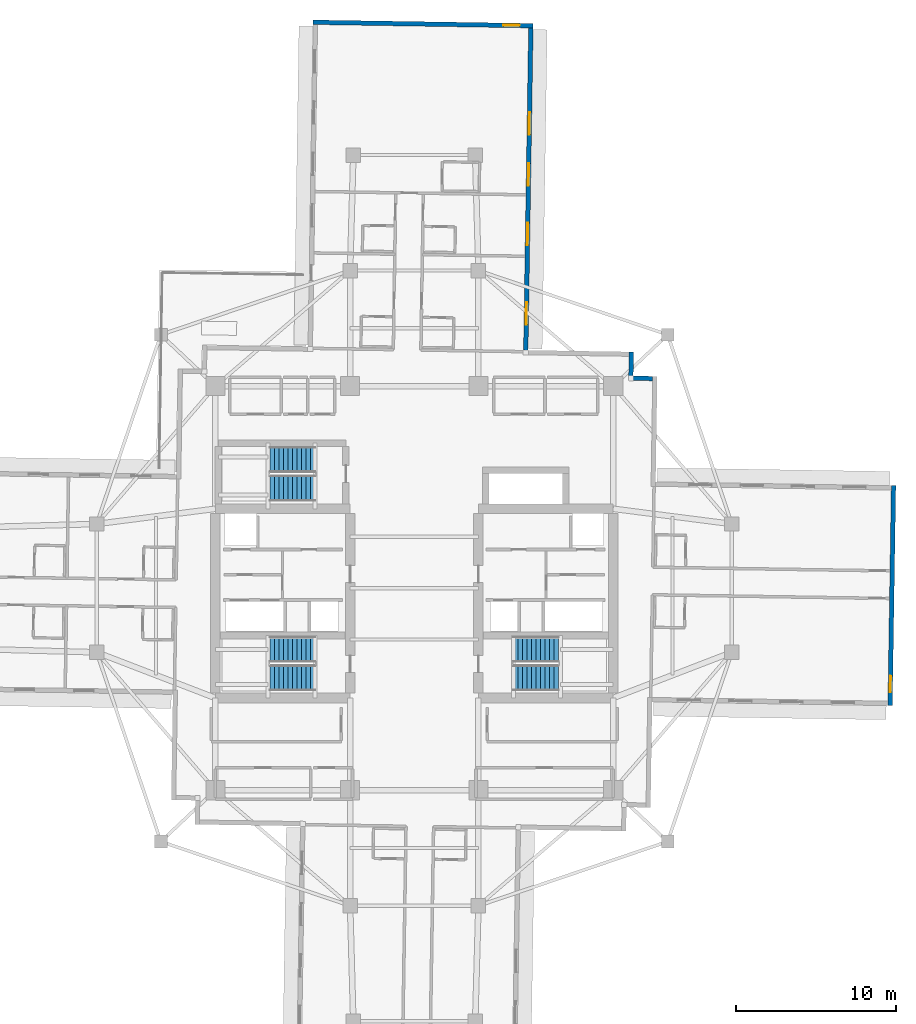
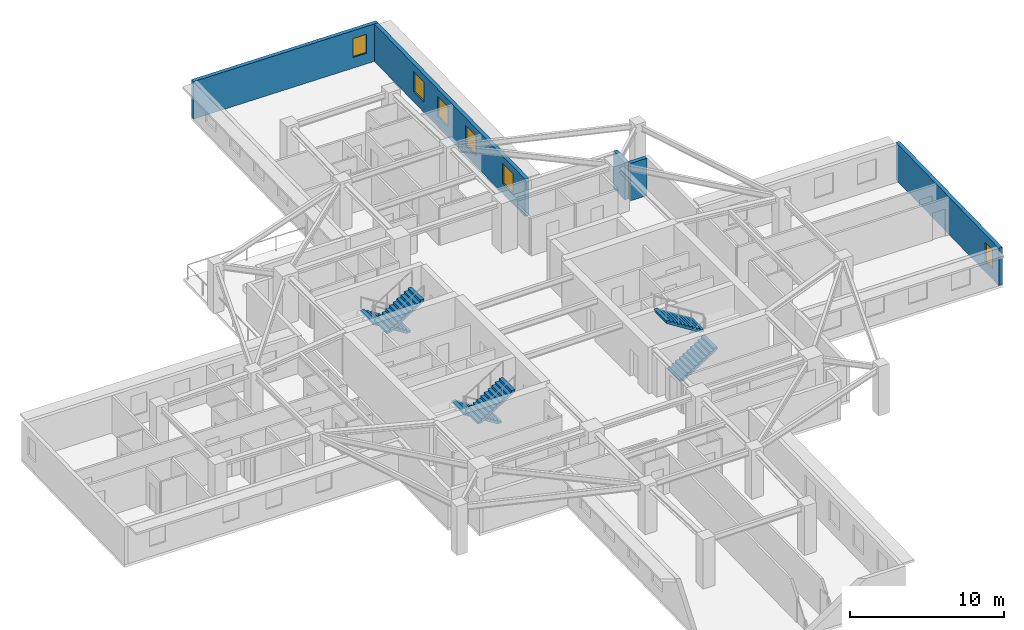
# One storey, part 8 of 13: 6 stair flights, 6 windows, 5 walls, 6 openings, 3 elements without a shape of their own.
"""IFC4 building model written with IfcOpenShell, lengths in metres."""

from ifc_helpers import new_model, si_unit, direction, frame, frame_2d, origin, place, context, subcontext, project, spatial, polyline, rectangle, outline, extrude, material, layer, layer_set, type_object, element, fill, aggregate, save


model = new_model("IFC4")

# Units and contexts
model_context = context("Model", 3, precision=1e-05, world=origin(), true_north=direction((0.0, 1.0)))
body_context = subcontext(model_context, "Body", "Model", "MODEL_VIEW")
ifc_project = project(units=[si_unit("LENGTHUNIT", "METRE"), si_unit("AREAUNIT", "SQUARE_METRE"), si_unit("VOLUMEUNIT", "CUBIC_METRE"), si_unit("PLANEANGLEUNIT", "RADIAN"), si_unit("MASSUNIT", "GRAM", prefix="KILO")], contexts=[model_context])

# Site, building, storey
site_placement = place(None, origin())
site = spatial("IfcSite", under=ifc_project, at=site_placement, CompositionType="ELEMENT")
building_placement = place(site_placement, origin())
building = spatial("IfcBuilding", under=site, at=building_placement, Name="Qingluan Cross Belvedere", CompositionType="ELEMENT")
storey_placement = place(building_placement, frame((0.0, 0.0, 148.800048828125)))
storey = spatial("IfcBuildingStorey", under=building, at=storey_placement, Name="L37", CompositionType="ELEMENT", Elevation=148.800048828125)

# Wall, opening, window
ifc_material_1 = material(Name="Precast concrete C45", Category="concrete")
ifc_layer_1 = layer(ifc_material_1, 0.280029296875, Name="PrecastFacadeWall_280")
ifc_layer_set_1 = layer_set([ifc_layer_1], Name="Precast concrete C45")
wall_type = type_object("IfcWallType", Name="PrecastFacadeWall_280", PredefinedType="STANDARD", material=ifc_layer_set_1)
wall_1_placement = place(storey_placement, frame((29.668701171875, -7.326904296875, 0.0), z_axis=(0.0, 0.0, 1.0), x_axis=(0.015694809807, 0.999876828887, 0.0)))
wall_1 = element("IfcWall", 1, at=wall_1_placement, inside=storey, type_object=wall_type, Name="Arm tip precast facade wall L37-E", PredefinedType="STANDARD", context=body_context, shape_type="SweptSolid", body=[
    extrude(rectangle(XDim=13.719970703125, YDim=0.280029296875, at=frame_2d((6.85986328125, 0.0))), origin(), (0.0, 0.0, 1.0), 2.969970703125),
])
opening_1_placement = place(wall_1_placement, frame((0.85009765625, 0.0, 0.85009765625)))
opening_1 = element("IfcOpeningElement", 2, at=opening_1_placement, cuts=wall_1, Name="Opening W-03", PredefinedType="OPENING", context=body_context, shape_type="SweptSolid", body=[
    extrude(rectangle(XDim=1.0, YDim=1.5, at=frame_2d((0.5, 0.75))), frame((0.0, 0.14990234375, 0.0), z_axis=(0.0, -1.0, 0.0), x_axis=(1.0, 0.0, 0.0)), (0.0, 0.0, 1.0), 0.300048828125),
])
ifc_material_2 = material(Name="Thermally broken triple Low-E glass in aluminium frame", Category="aluminium")
window_type_1 = type_object("IfcWindowType", Name="TriApexWin_1000x1500", PartitioningType="SINGLE_PANEL", PredefinedType="WINDOW", material=ifc_material_2)
window_1_placement = place(opening_1_placement, origin())
window_1 = element("IfcWindow", 3, at=window_1_placement, inside=storey, type_object=window_type_1, Name="Arm tip triangular window L37-E", OverallHeight=1.5, OverallWidth=1.0, PartitioningType="SINGLE_PANEL", PredefinedType="WINDOW", context=body_context, shape_type="SweptSolid", body=[
    extrude(rectangle(XDim=1.0, YDim=1.5, at=frame_2d((0.5, 0.75))), frame((0.0, 0.030029296875, 0.0), z_axis=(0.0, -1.0, 0.0), x_axis=(1.0, 0.0, 0.0)), (0.0, 0.0, 1.0), 0.06005859375),
])
fill(opening_1, window_1)

# Wall, openings, windows
wall_2_placement = place(storey_placement, frame((6.953857421875, 14.83251953125, 0.0), z_axis=(0.0, 0.0, 1.0), x_axis=(0.015705059908, 0.999876667941, 0.0)))
wall_2 = element("IfcWall", 4, at=wall_2_placement, inside=storey, type_object=wall_type, Name="Facade wall L37-NA", PredefinedType="STANDARD", context=body_context, shape_type="SweptSolid", body=[
    extrude(rectangle(XDim=20.10009765625, YDim=0.280029296875, at=frame_2d((10.050048828125, 0.0))), origin(), (0.0, 0.0, 1.0), 2.969970703125),
])
opening_2_placement = place(wall_2_placement, frame((1.60009765625, 0.0, 0.800048828125)))
opening_2 = element("IfcOpeningElement", 5, at=opening_2_placement, cuts=wall_2, Name="Opening W-01", PredefinedType="OPENING", context=body_context, shape_type="SweptSolid", body=[
    extrude(rectangle(XDim=1.39990234375, YDim=1.60009765625, at=frame_2d((0.699951171875, 0.800048828125))), frame((0.0, 0.14990234375, 0.0), z_axis=(0.0, -1.0, 0.0), x_axis=(1.0, 0.0, 0.0)), (0.0, 0.0, 1.0), 0.300048828125),
])
opening_3_placement = place(wall_2_placement, frame((6.550048828125, 0.0, 0.800048828125)))
opening_3 = element("IfcOpeningElement", 6, at=opening_3_placement, cuts=wall_2, Name="Opening W-01", PredefinedType="OPENING", context=body_context, shape_type="SweptSolid", body=[
    extrude(rectangle(XDim=1.39990234375, YDim=1.60009765625, at=frame_2d((0.699951171875, 0.800048828125))), frame((0.0, 0.14990234375, 0.0), z_axis=(0.0, -1.0, 0.0), x_axis=(1.0, 0.0, 0.0)), (0.0, 0.0, 1.0), 0.300048828125),
])
opening_4_placement = place(wall_2_placement, frame((10.25, 0.0, 0.800048828125)))
opening_4 = element("IfcOpeningElement", 7, at=opening_4_placement, cuts=wall_2, Name="Opening W-01", PredefinedType="OPENING", context=body_context, shape_type="SweptSolid", body=[
    extrude(rectangle(XDim=1.39990234375, YDim=1.60009765625, at=frame_2d((0.699951171875, 0.800048828125))), frame((0.0, 0.14990234375, 0.0), z_axis=(0.0, -1.0, 0.0), x_axis=(1.0, 0.0, 0.0)), (0.0, 0.0, 1.0), 0.300048828125),
])
opening_5_placement = place(wall_2_placement, frame((13.449951171875, 0.0, 0.800048828125)))
opening_5 = element("IfcOpeningElement", 8, at=opening_5_placement, cuts=wall_2, Name="Opening W-01", PredefinedType="OPENING", context=body_context, shape_type="SweptSolid", body=[
    extrude(rectangle(XDim=1.39990234375, YDim=1.60009765625, at=frame_2d((0.699951171875, 0.800048828125))), frame((0.0, 0.14990234375, 0.0), z_axis=(0.0, -1.0, 0.0), x_axis=(1.0, 0.0, 0.0)), (0.0, 0.0, 1.0), 0.300048828125),
])
ifc_material_3 = material(Name="Thermally broken triple Low-E glass in aluminium frame", Category="aluminium")
window_type_2 = type_object("IfcWindowType", Name="TriRibbonWin_1400x1600", PartitioningType="SINGLE_PANEL", PredefinedType="WINDOW", material=ifc_material_3)
window_2_placement = place(opening_2_placement, origin())
window_2 = element("IfcWindow", 9, at=window_2_placement, inside=storey, type_object=window_type_2, Name="Ribbon window L37-NA-1", OverallHeight=1.60009765625, OverallWidth=1.39990234375, PartitioningType="SINGLE_PANEL", PredefinedType="WINDOW", context=body_context, shape_type="SweptSolid", body=[
    extrude(rectangle(XDim=1.39990234375, YDim=1.60009765625, at=frame_2d((0.699951171875, 0.800048828125))), frame((0.0, 0.030029296875, 0.0), z_axis=(0.0, -1.0, 0.0), x_axis=(1.0, 0.0, 0.0)), (0.0, 0.0, 1.0), 0.06005859375),
])
fill(opening_2, window_2)
window_3_placement = place(opening_3_placement, origin())
window_3 = element("IfcWindow", 10, at=window_3_placement, inside=storey, type_object=window_type_2, Name="Ribbon window L37-NA-2", OverallHeight=1.60009765625, OverallWidth=1.39990234375, PartitioningType="SINGLE_PANEL", PredefinedType="WINDOW", context=body_context, shape_type="SweptSolid", body=[
    extrude(rectangle(XDim=1.39990234375, YDim=1.60009765625, at=frame_2d((0.699951171875, 0.800048828125))), frame((0.0, 0.030029296875, 0.0), z_axis=(0.0, -1.0, 0.0), x_axis=(1.0, 0.0, 0.0)), (0.0, 0.0, 1.0), 0.06005859375),
])
fill(opening_3, window_3)
window_4_placement = place(opening_4_placement, origin())
window_4 = element("IfcWindow", 11, at=window_4_placement, inside=storey, type_object=window_type_2, Name="Ribbon window L37-NA-3", OverallHeight=1.60009765625, OverallWidth=1.39990234375, PartitioningType="SINGLE_PANEL", PredefinedType="WINDOW", context=body_context, shape_type="SweptSolid", body=[
    extrude(rectangle(XDim=1.39990234375, YDim=1.60009765625, at=frame_2d((0.699951171875, 0.800048828125))), frame((0.0, 0.030029296875, 0.0), z_axis=(0.0, -1.0, 0.0), x_axis=(1.0, 0.0, 0.0)), (0.0, 0.0, 1.0), 0.06005859375),
])
fill(opening_4, window_4)
window_5_placement = place(opening_5_placement, origin())
window_5 = element("IfcWindow", 12, at=window_5_placement, inside=storey, type_object=window_type_2, Name="Ribbon window L37-NA-4", OverallHeight=1.60009765625, OverallWidth=1.39990234375, PartitioningType="SINGLE_PANEL", PredefinedType="WINDOW", context=body_context, shape_type="SweptSolid", body=[
    extrude(rectangle(XDim=1.39990234375, YDim=1.60009765625, at=frame_2d((0.699951171875, 0.800048828125))), frame((0.0, 0.030029296875, 0.0), z_axis=(0.0, -1.0, 0.0), x_axis=(1.0, 0.0, 0.0)), (0.0, 0.0, 1.0), 0.06005859375),
])
fill(opening_5, window_5)

# Wall, opening, window
wall_3_placement = place(storey_placement, frame((7.41162109375, 35.06787109375, 0.0), z_axis=(0.0, 0.0, 1.0), x_axis=(-0.999876549481, 0.015712599986, 0.0)))
wall_3 = element("IfcWall", 13, at=wall_3_placement, inside=storey, type_object=wall_type, Name="Arm tip precast facade wall L37-N", PredefinedType="STANDARD", context=body_context, shape_type="SweptSolid", body=[
    extrude(rectangle(XDim=13.719970703125, YDim=0.280029296875, at=frame_2d((6.85986328125, 0.0))), origin(), (0.0, 0.0, 1.0), 2.969970703125),
])
opening_6_placement = place(wall_3_placement, frame((0.85009765625, 0.0, 0.85009765625)))
opening_6 = element("IfcOpeningElement", 14, at=opening_6_placement, cuts=wall_3, Name="Opening W-03", PredefinedType="OPENING", context=body_context, shape_type="SweptSolid", body=[
    extrude(rectangle(XDim=1.0, YDim=1.5, at=frame_2d((0.5, 0.75))), frame((0.0, 0.14990234375, 0.0), z_axis=(0.0, -1.0, 0.0), x_axis=(1.0, 0.0, 0.0)), (0.0, 0.0, 1.0), 0.300048828125),
])
window_6_placement = place(opening_6_placement, origin())
window_6 = element("IfcWindow", 15, at=window_6_placement, inside=storey, type_object=window_type_1, Name="Arm tip triangular window L37-N", OverallHeight=1.5, OverallWidth=1.0, PartitioningType="SINGLE_PANEL", PredefinedType="WINDOW", context=body_context, shape_type="SweptSolid", body=[
    extrude(rectangle(XDim=1.0, YDim=1.5, at=frame_2d((0.5, 0.75))), frame((0.0, 0.030029296875, 0.0), z_axis=(0.0, -1.0, 0.0), x_axis=(1.0, 0.0, 0.0)), (0.0, 0.0, 1.0), 0.06005859375),
])
fill(opening_6, window_6)

# Walls
wall_4_placement = place(storey_placement, frame((14.8671875, 13.068115234375, 0.0), z_axis=(0.0, 0.0, 1.0), x_axis=(-0.999875053502, 0.015807510352, 0.0)))
element("IfcWall", 16, at=wall_4_placement, inside=storey, type_object=wall_type, Name="Corner wall L37-NE2", PredefinedType="STANDARD", context=body_context, shape_type="SweptSolid", body=[
    extrude(rectangle(XDim=1.22021484375, YDim=0.280029296875, at=frame_2d((0.610107421875, 0.0))), origin(), (0.0, 0.0, 1.0), 2.969970703125),
])
wall_5_placement = place(storey_placement, frame((13.509521484375, 13.2294921875, 0.0), z_axis=(0.0, 0.0, 1.0), x_axis=(0.015625635615, 0.999877912303, 0.0)))
element("IfcWall", 17, at=wall_5_placement, inside=storey, type_object=wall_type, Name="Corner wall L37-NE3", PredefinedType="STANDARD", context=body_context, shape_type="SweptSolid", body=[
    extrude(rectangle(XDim=1.5, YDim=0.280029296875, at=frame_2d((0.75, 0.0))), origin(), (0.0, 0.0, 1.0), 2.969970703125),
])

# Stair, stair flights
ifc_material_4 = material(Name="Concrete C40", Category="concrete")
stair_type = type_object("IfcStairType", Name="CoreDoglegStair_1620", PredefinedType="HALF_TURN_STAIR", material=ifc_material_4)
stair_1_placement = place(storey_placement, origin())
stair_1 = element("IfcStair", 18, at=stair_1_placement, inside=storey, type_object=stair_type, Name="L37 ST1", PredefinedType="HALF_TURN_STAIR")
ifc_material_5 = material(Name="Concrete C40", Category="concrete")
ifc_layer_2 = layer(ifc_material_5, 0.179931640625, Name="StairFlight_RC180")
ifc_layer_set_2 = layer_set([ifc_layer_2], Name="Concrete C40")
stair_flight_type = type_object("IfcStairFlightType", Name="StairFlight_RC180", PredefinedType="STRAIGHT", material=ifc_layer_set_2)
stair_flight_1_placement = place(storey_placement, frame((-6.179931640625, -3.81005859375, 0.0), z_axis=(0.0, 0.0, 1.0), x_axis=(-1.0, 0.0, 0.0)))
stair_flight_1 = element("IfcStairFlight", 19, at=stair_flight_1_placement, type_object=stair_flight_type, Name="ST1 flight 1", NumberOfRisers=11, NumberOfTreads=10, PredefinedType="STRAIGHT", RiserHeight=0.177272727, TreadLength=0.28, context=body_context, shape_type="SweptSolid", body=[
    extrude(outline(polyline([(0.0, 0.0), (0.0, 0.17724609375), (0.280029296875, 0.17724609375), (0.280029296875, 0.3544921875), (0.56005859375, 0.3544921875), (0.56005859375, 0.53173828125), (0.840087890625, 0.53173828125), (0.840087890625, 0.708984375), (1.1201171875, 0.708984375), (1.1201171875, 0.886474609375), (1.39990234375, 0.886474609375), (1.39990234375, 1.063720703125), (1.679931640625, 1.063720703125), (1.679931640625, 1.240966796875), (1.9599609375, 1.240966796875), (1.9599609375, 1.418212890625), (2.239990234375, 1.418212890625), (2.239990234375, 1.595458984375), (2.52001953125, 1.595458984375), (2.52001953125, 1.772705078125), (2.800048828125, 1.772705078125), (2.800048828125, 1.949951171875), (2.800048828125, 1.59521484375), (0.2802734375, 0.0), (0.0, 0.0)])), frame((0.0, 0.81005859375, 0.0), z_axis=(0.0, -1.0, 0.0), x_axis=(1.0, 0.0, 0.0)), (0.0, 0.0, 1.0), 1.6201171875),
])
stair_flight_2_placement = place(storey_placement, frame((-8.97998046875, -5.590087890625, 1.949951171875), z_axis=(0.0, 0.0, 1.0), x_axis=(1.0, 0.0, 0.0)))
stair_flight_2 = element("IfcStairFlight", 20, at=stair_flight_2_placement, type_object=stair_flight_type, Name="ST1 flight 2", NumberOfRisers=11, NumberOfTreads=10, PredefinedType="STRAIGHT", RiserHeight=0.177272727, TreadLength=0.28, context=body_context, shape_type="SweptSolid", body=[
    extrude(outline(polyline([(0.0, 0.0), (0.0, 0.17724609375), (0.280029296875, 0.17724609375), (0.280029296875, 0.3544921875), (0.56005859375, 0.3544921875), (0.56005859375, 0.53173828125), (0.840087890625, 0.53173828125), (0.840087890625, 0.708984375), (1.1201171875, 0.708984375), (1.1201171875, 0.886474609375), (1.39990234375, 0.886474609375), (1.39990234375, 1.063720703125), (1.679931640625, 1.063720703125), (1.679931640625, 1.240966796875), (1.9599609375, 1.240966796875), (1.9599609375, 1.418212890625), (2.239990234375, 1.418212890625), (2.239990234375, 1.595458984375), (2.52001953125, 1.595458984375), (2.52001953125, 1.772705078125), (2.800048828125, 1.772705078125), (2.800048828125, 1.949951171875), (2.800048828125, 1.59521484375), (0.2802734375, 0.0), (0.0, 0.0)])), frame((0.0, 0.81005859375, 0.0), z_axis=(0.0, -1.0, 0.0), x_axis=(1.0, 0.0, 0.0)), (0.0, 0.0, 1.0), 1.6201171875),
])
aggregate(stair_1, [stair_flight_1, stair_flight_2])

stair_2_placement = place(storey_placement, origin())
stair_2 = element("IfcStair", 21, at=stair_2_placement, inside=storey, type_object=stair_type, Name="L37 ST2", PredefinedType="HALF_TURN_STAIR")
stair_flight_3_placement = place(storey_placement, frame((6.179931640625, -5.590087890625, 0.0), z_axis=(0.0, 0.0, 1.0), x_axis=(1.0, 0.0, 0.0)))
stair_flight_3 = element("IfcStairFlight", 22, at=stair_flight_3_placement, type_object=stair_flight_type, Name="ST2 flight 1", NumberOfRisers=11, NumberOfTreads=10, PredefinedType="STRAIGHT", RiserHeight=0.177272727, TreadLength=0.28, context=body_context, shape_type="SweptSolid", body=[
    extrude(outline(polyline([(0.0, 0.0), (0.0, 0.17724609375), (0.280029296875, 0.17724609375), (0.280029296875, 0.3544921875), (0.56005859375, 0.3544921875), (0.56005859375, 0.53173828125), (0.840087890625, 0.53173828125), (0.840087890625, 0.708984375), (1.1201171875, 0.708984375), (1.1201171875, 0.886474609375), (1.39990234375, 0.886474609375), (1.39990234375, 1.063720703125), (1.679931640625, 1.063720703125), (1.679931640625, 1.240966796875), (1.9599609375, 1.240966796875), (1.9599609375, 1.418212890625), (2.239990234375, 1.418212890625), (2.239990234375, 1.595458984375), (2.52001953125, 1.595458984375), (2.52001953125, 1.772705078125), (2.800048828125, 1.772705078125), (2.800048828125, 1.949951171875), (2.800048828125, 1.59521484375), (0.2802734375, 0.0), (0.0, 0.0)])), frame((0.0, 0.81005859375, 0.0), z_axis=(0.0, -1.0, 0.0), x_axis=(1.0, 0.0, 0.0)), (0.0, 0.0, 1.0), 1.6201171875),
])
stair_flight_4_placement = place(storey_placement, frame((8.97998046875, -3.81005859375, 1.949951171875), z_axis=(0.0, 0.0, 1.0), x_axis=(-1.0, 0.0, 0.0)))
stair_flight_4 = element("IfcStairFlight", 23, at=stair_flight_4_placement, type_object=stair_flight_type, Name="ST2 flight 2", NumberOfRisers=11, NumberOfTreads=10, PredefinedType="STRAIGHT", RiserHeight=0.177272727, TreadLength=0.28, context=body_context, shape_type="SweptSolid", body=[
    extrude(outline(polyline([(0.0, 0.0), (0.0, 0.17724609375), (0.280029296875, 0.17724609375), (0.280029296875, 0.3544921875), (0.56005859375, 0.3544921875), (0.56005859375, 0.53173828125), (0.840087890625, 0.53173828125), (0.840087890625, 0.708984375), (1.1201171875, 0.708984375), (1.1201171875, 0.886474609375), (1.39990234375, 0.886474609375), (1.39990234375, 1.063720703125), (1.679931640625, 1.063720703125), (1.679931640625, 1.240966796875), (1.9599609375, 1.240966796875), (1.9599609375, 1.418212890625), (2.239990234375, 1.418212890625), (2.239990234375, 1.595458984375), (2.52001953125, 1.595458984375), (2.52001953125, 1.772705078125), (2.800048828125, 1.772705078125), (2.800048828125, 1.949951171875), (2.800048828125, 1.59521484375), (0.2802734375, 0.0), (0.0, 0.0)])), frame((0.0, 0.81005859375, 0.0), z_axis=(0.0, -1.0, 0.0), x_axis=(1.0, 0.0, 0.0)), (0.0, 0.0, 1.0), 1.6201171875),
])
aggregate(stair_2, [stair_flight_3, stair_flight_4])

stair_3_placement = place(storey_placement, origin())
stair_3 = element("IfcStair", 24, at=stair_3_placement, inside=storey, type_object=stair_type, Name="L37 ST3", PredefinedType="HALF_TURN_STAIR")
stair_flight_5_placement = place(storey_placement, frame((-6.179931640625, 8.010009765625, 0.0), z_axis=(0.0, 0.0, 1.0), x_axis=(-1.0, 0.0, 0.0)))
stair_flight_5 = element("IfcStairFlight", 25, at=stair_flight_5_placement, type_object=stair_flight_type, Name="ST3 flight 1", NumberOfRisers=11, NumberOfTreads=10, PredefinedType="STRAIGHT", RiserHeight=0.177272727, TreadLength=0.28, context=body_context, shape_type="SweptSolid", body=[
    extrude(outline(polyline([(0.0, 0.0), (0.0, 0.17724609375), (0.280029296875, 0.17724609375), (0.280029296875, 0.3544921875), (0.56005859375, 0.3544921875), (0.56005859375, 0.53173828125), (0.840087890625, 0.53173828125), (0.840087890625, 0.708984375), (1.1201171875, 0.708984375), (1.1201171875, 0.886474609375), (1.39990234375, 0.886474609375), (1.39990234375, 1.063720703125), (1.679931640625, 1.063720703125), (1.679931640625, 1.240966796875), (1.9599609375, 1.240966796875), (1.9599609375, 1.418212890625), (2.239990234375, 1.418212890625), (2.239990234375, 1.595458984375), (2.52001953125, 1.595458984375), (2.52001953125, 1.772705078125), (2.800048828125, 1.772705078125), (2.800048828125, 1.949951171875), (2.800048828125, 1.59521484375), (0.2802734375, 0.0), (0.0, 0.0)])), frame((0.0, 0.81005859375, 0.0), z_axis=(0.0, -1.0, 0.0), x_axis=(1.0, 0.0, 0.0)), (0.0, 0.0, 1.0), 1.6201171875),
])
stair_flight_6_placement = place(storey_placement, frame((-8.97998046875, 6.22998046875, 1.949951171875), z_axis=(0.0, 0.0, 1.0), x_axis=(1.0, 0.0, 0.0)))
stair_flight_6 = element("IfcStairFlight", 26, at=stair_flight_6_placement, type_object=stair_flight_type, Name="ST3 flight 2", NumberOfRisers=11, NumberOfTreads=10, PredefinedType="STRAIGHT", RiserHeight=0.177272727, TreadLength=0.28, context=body_context, shape_type="SweptSolid", body=[
    extrude(outline(polyline([(0.0, 0.0), (0.0, 0.17724609375), (0.280029296875, 0.17724609375), (0.280029296875, 0.3544921875), (0.56005859375, 0.3544921875), (0.56005859375, 0.53173828125), (0.840087890625, 0.53173828125), (0.840087890625, 0.708984375), (1.1201171875, 0.708984375), (1.1201171875, 0.886474609375), (1.39990234375, 0.886474609375), (1.39990234375, 1.063720703125), (1.679931640625, 1.063720703125), (1.679931640625, 1.240966796875), (1.9599609375, 1.240966796875), (1.9599609375, 1.418212890625), (2.239990234375, 1.418212890625), (2.239990234375, 1.595458984375), (2.52001953125, 1.595458984375), (2.52001953125, 1.772705078125), (2.800048828125, 1.772705078125), (2.800048828125, 1.949951171875), (2.800048828125, 1.59521484375), (0.2802734375, 0.0), (0.0, 0.0)])), frame((0.0, 0.81005859375, 0.0), z_axis=(0.0, -1.0, 0.0), x_axis=(1.0, 0.0, 0.0)), (0.0, 0.0, 1.0), 1.6201171875),
])
aggregate(stair_3, [stair_flight_5, stair_flight_6])

save(model, "model.ifc")
